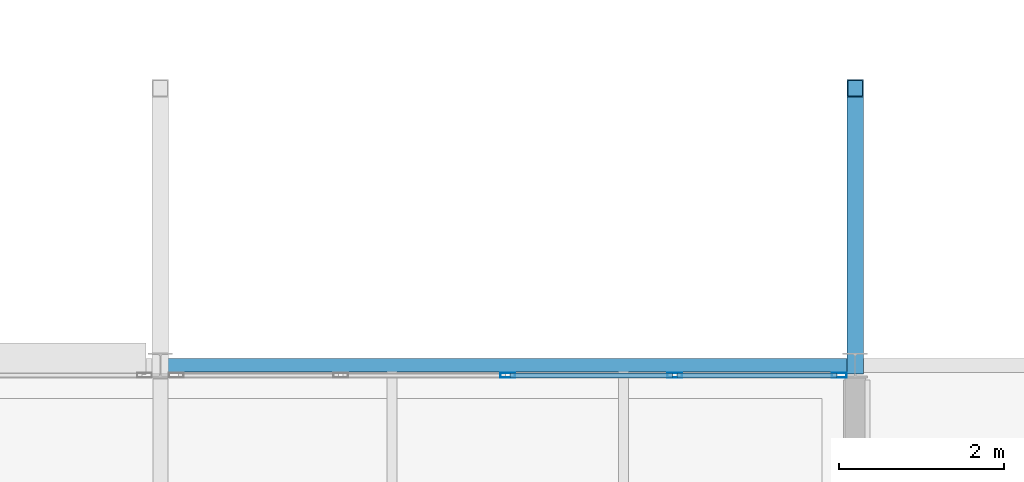
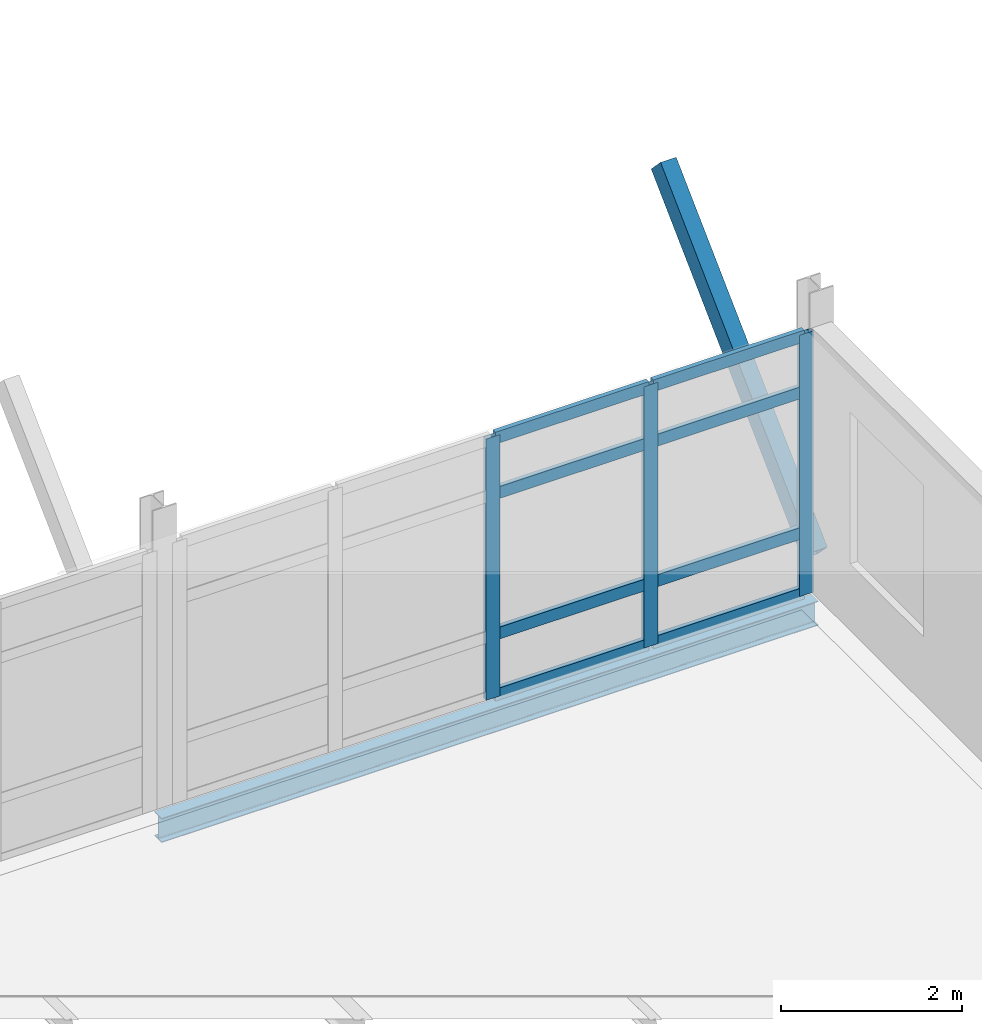
# One storey, part 28 of 131: 12 members, 1 beam, 1 element without a shape of its own.
"""IFC4 building model written with IfcOpenShell, lengths in metres."""

from ifc_helpers import new_model, si_unit, direction, frame, origin, origin_2d, place, context, subcontext, project, spatial, hollow_rectangle, i_section, extrude, material, material_profile, profile_set, type_object, element, aggregate, save


model = new_model("IFC4")

# Units and contexts
model_context = context("Model", 3, precision=1e-05, world=origin(), true_north=direction((0.0, 1.0)))
body_context = subcontext(model_context, "Body", "Model", "MODEL_VIEW")
ifc_project = project(units=[si_unit("LENGTHUNIT", "METRE"), si_unit("AREAUNIT", "SQUARE_METRE"), si_unit("VOLUMEUNIT", "CUBIC_METRE"), si_unit("PLANEANGLEUNIT", "RADIAN"), si_unit("MASSUNIT", "GRAM", prefix="KILO")], contexts=[model_context])

# Site, building, storey
site_placement = place(None, origin())
site = spatial("IfcSite", under=ifc_project, at=site_placement, CompositionType="ELEMENT")
building_placement = place(site_placement, origin())
building = spatial("IfcBuilding", under=site, at=building_placement, Name="Mersafa Astral City Hall", CompositionType="ELEMENT")
storey_placement = place(building_placement, frame((0.0, 0.0, 13.949951171875)))
storey = spatial("IfcBuildingStorey", under=building, at=storey_placement, Name="L03", CompositionType="ELEMENT", Elevation=13.949951171875)

# Curtain wall, members
ifc_material_1 = material(Name="Anodised bronze aluminium framing", Category="aluminium")
curtain_wall_type = type_object("IfcCurtainWallType", Name="ENV-CW-1", PredefinedType="USERDEFINED", material=ifc_material_1)
curtain_wall_placement = place(storey_placement, origin())
curtain_wall = element("IfcCurtainWall", 1, at=curtain_wall_placement, inside=storey, type_object=curtain_wall_type, Name="L03 Unitised solar curtain wall 150", ObjectType="UNITISED CURTAIN WALL", PredefinedType="USERDEFINED")
ifc_material_profile_1 = material_profile(ifc_material_1, hollow_rectangle(XDim=0.06005859375, YDim=0.179931640625, WallThickness=0.00390625, at=origin_2d()), Name="RHS 60x180x4")
ifc_profile_set_1 = profile_set([ifc_material_profile_1], Name="Anodised bronze aluminium framing")
member_type_1 = type_object("IfcMemberType", Name="ENV-CW-MUL-1", PredefinedType="MULLION", material=ifc_profile_set_1)
member_1_placement = place(storey_placement, frame((134.2080078125, 33.47998046875, -0.001953125), z_axis=(0.0, 0.0, 1.0), x_axis=(0.0, -1.0, 0.0)))
member_1 = element("IfcMember", 2, at=member_1_placement, type_object=member_type_1, Name="CW-1 mullion 1", PredefinedType="MULLION", context=body_context, shape_type="SweptSolid", body=[
    extrude(hollow_rectangle(XDim=0.06005859375, YDim=0.179931640625, WallThickness=0.00390625, at=origin_2d()), origin(), (0.0, 0.0, 1.0), 3.533935546875),
])
member_2_placement = place(storey_placement, frame((132.218994140625, 33.47998046875, -0.001953125), z_axis=(0.0, 0.0, 1.0), x_axis=(0.0, -1.0, 0.0)))
member_2 = element("IfcMember", 3, at=member_2_placement, type_object=member_type_1, Name="CW-1 mullion 2", PredefinedType="MULLION", context=body_context, shape_type="SweptSolid", body=[
    extrude(hollow_rectangle(XDim=0.06005859375, YDim=0.179931640625, WallThickness=0.00390625, at=origin_2d()), origin(), (0.0, 0.0, 1.0), 3.533935546875),
])
member_3_placement = place(storey_placement, frame((130.199951171875, 33.47998046875, -0.001953125), z_axis=(0.0, 0.0, 1.0), x_axis=(0.0, -1.0, 0.0)))
member_3 = element("IfcMember", 4, at=member_3_placement, type_object=member_type_1, Name="CW-1 mullion 3", PredefinedType="MULLION", context=body_context, shape_type="SweptSolid", body=[
    extrude(hollow_rectangle(XDim=0.06005859375, YDim=0.179931640625, WallThickness=0.00390625, at=origin_2d()), origin(), (0.0, 0.0, 1.0), 3.533935546875),
])
ifc_material_profile_2 = material_profile(ifc_material_1, hollow_rectangle(XDim=0.06005859375, YDim=0.159912109375, WallThickness=0.00390625, at=origin_2d()), Name="RHS 60x160x4")
ifc_profile_set_2 = profile_set([ifc_material_profile_2], Name="Anodised bronze aluminium framing")
member_type_2 = type_object("IfcMemberType", Name="ENV-CW-TRN-2", PredefinedType="USERDEFINED", material=ifc_profile_set_2)
member_4_placement = place(storey_placement, frame((134.177978515625, 33.47998046875, 0.028076171875), z_axis=(-1.0, 0.0, 0.0), x_axis=(0.0, -1.0, 0.0)))
member_4 = element("IfcMember", 5, at=member_4_placement, type_object=member_type_2, Name="CW-1 transom 1.1", ObjectType="TRANSOM", PredefinedType="USERDEFINED", context=body_context, shape_type="SweptSolid", body=[
    extrude(hollow_rectangle(XDim=0.06005859375, YDim=0.159912109375, WallThickness=0.00390625, at=origin_2d()), origin(), (0.0, 0.0, 1.0), 1.928955078125),
])
member_5_placement = place(storey_placement, frame((134.177978515625, 33.47998046875, 0.85009765625), z_axis=(-1.0, 0.0, 0.0), x_axis=(0.0, -1.0, 0.0)))
member_5 = element("IfcMember", 6, at=member_5_placement, type_object=member_type_2, Name="CW-1 transom 1.2", ObjectType="TRANSOM", PredefinedType="USERDEFINED", context=body_context, shape_type="SweptSolid", body=[
    extrude(hollow_rectangle(XDim=0.06005859375, YDim=0.159912109375, WallThickness=0.00390625, at=origin_2d()), origin(), (0.0, 0.0, 1.0), 1.928955078125),
])
member_6_placement = place(storey_placement, frame((134.177978515625, 33.47998046875, 2.75), z_axis=(-1.0, 0.0, 0.0), x_axis=(0.0, -1.0, 0.0)))
member_6 = element("IfcMember", 7, at=member_6_placement, type_object=member_type_2, Name="CW-1 transom 1.3", ObjectType="TRANSOM", PredefinedType="USERDEFINED", context=body_context, shape_type="SweptSolid", body=[
    extrude(hollow_rectangle(XDim=0.06005859375, YDim=0.159912109375, WallThickness=0.00390625, at=origin_2d()), origin(), (0.0, 0.0, 1.0), 1.928955078125),
])
member_7_placement = place(storey_placement, frame((134.177978515625, 33.47998046875, 3.501953125), z_axis=(-1.0, 0.0, 0.0), x_axis=(0.0, -1.0, 0.0)))
member_7 = element("IfcMember", 8, at=member_7_placement, type_object=member_type_2, Name="CW-1 transom 1.4", ObjectType="TRANSOM", PredefinedType="USERDEFINED", context=body_context, shape_type="SweptSolid", body=[
    extrude(hollow_rectangle(XDim=0.06005859375, YDim=0.159912109375, WallThickness=0.00390625, at=origin_2d()), origin(), (0.0, 0.0, 1.0), 1.928955078125),
])
member_8_placement = place(storey_placement, frame((132.18896484375, 33.47998046875, 0.028076171875), z_axis=(-1.0, 0.0, 0.0), x_axis=(0.0, -1.0, 0.0)))
member_8 = element("IfcMember", 9, at=member_8_placement, type_object=member_type_2, Name="CW-1 transom 2.1", ObjectType="TRANSOM", PredefinedType="USERDEFINED", context=body_context, shape_type="SweptSolid", body=[
    extrude(hollow_rectangle(XDim=0.06005859375, YDim=0.159912109375, WallThickness=0.00390625, at=origin_2d()), origin(), (0.0, 0.0, 1.0), 1.958984375),
])
member_9_placement = place(storey_placement, frame((132.18896484375, 33.47998046875, 0.85009765625), z_axis=(-1.0, 0.0, 0.0), x_axis=(0.0, -1.0, 0.0)))
member_9 = element("IfcMember", 10, at=member_9_placement, type_object=member_type_2, Name="CW-1 transom 2.2", ObjectType="TRANSOM", PredefinedType="USERDEFINED", context=body_context, shape_type="SweptSolid", body=[
    extrude(hollow_rectangle(XDim=0.06005859375, YDim=0.159912109375, WallThickness=0.00390625, at=origin_2d()), origin(), (0.0, 0.0, 1.0), 1.958984375),
])
member_10_placement = place(storey_placement, frame((132.18896484375, 33.47998046875, 2.75), z_axis=(-1.0, 0.0, 0.0), x_axis=(0.0, -1.0, 0.0)))
member_10 = element("IfcMember", 11, at=member_10_placement, type_object=member_type_2, Name="CW-1 transom 2.3", ObjectType="TRANSOM", PredefinedType="USERDEFINED", context=body_context, shape_type="SweptSolid", body=[
    extrude(hollow_rectangle(XDim=0.06005859375, YDim=0.159912109375, WallThickness=0.00390625, at=origin_2d()), origin(), (0.0, 0.0, 1.0), 1.958984375),
])
member_11_placement = place(storey_placement, frame((132.18896484375, 33.47998046875, 3.501953125), z_axis=(-1.0, 0.0, 0.0), x_axis=(0.0, -1.0, 0.0)))
member_11 = element("IfcMember", 12, at=member_11_placement, type_object=member_type_2, Name="CW-1 transom 2.4", ObjectType="TRANSOM", PredefinedType="USERDEFINED", context=body_context, shape_type="SweptSolid", body=[
    extrude(hollow_rectangle(XDim=0.06005859375, YDim=0.159912109375, WallThickness=0.00390625, at=origin_2d()), origin(), (0.0, 0.0, 1.0), 1.958984375),
])
aggregate(curtain_wall, [member_1, member_2, member_3, member_4, member_5, member_6, member_7, member_8, member_9, member_10, member_11])

# Beam
ifc_material_2 = material(Name="Steel S355", Category="steel")
ifc_material_profile_3 = material_profile(ifc_material_2, i_section(OverallWidth=0.159912109375, OverallDepth=0.330078125, WebThickness=0.007568359375, FlangeThickness=0.011474609375, FilletRadius=0.01806640625, at=origin_2d()), Name="IPE 330")
ifc_profile_set_3 = profile_set([ifc_material_profile_3], Name="Steel S355")
beam_type = type_object("IfcBeamType", Name="STR-BM-SPANDREL-IPE330", PredefinedType="SPANDREL", material=ifc_profile_set_3)
beam_placement = place(storey_placement, frame((126.0029296875, 33.60009765625, -0.364990234375), z_axis=(1.0, 0.0, 0.0), x_axis=(0.0, 1.0, 0.0)))
element("IfcBeam", 13, at=beam_placement, inside=storey, type_object=beam_type, Name="L03 Primary girder X 15-4", PredefinedType="SPANDREL", context=body_context, shape_type="SweptSolid", body=[
    extrude(i_section(OverallWidth=0.159912109375, OverallDepth=0.330078125, WebThickness=0.007568359375, FlangeThickness=0.011474609375, FilletRadius=0.01806640625, at=origin_2d()), origin(), (0.0, 0.0, 1.0), 8.39404296875),
])

# Member
ifc_material_profile_4 = material_profile(ifc_material_2, hollow_rectangle(XDim=0.199951171875, YDim=0.300048828125, WallThickness=0.012451171875, at=origin_2d()), Name="RHS 200x300x12.5")
ifc_profile_set_4 = profile_set([ifc_material_profile_4], Name="Steel S355")
member_type_3 = type_object("IfcMemberType", Name="STR-MBR-STRUT-RHS200X300", PredefinedType="BRACE", material=ifc_profile_set_4)
member_12_placement = place(storey_placement, frame((134.39990234375, 33.60009765625, 0.400146484375), z_axis=(0.0, 0.718795502172, 0.695221566163), x_axis=(-1.0, 0.0, 0.0)))
element("IfcMember", 14, at=member_12_placement, inside=storey, type_object=member_type_3, Name="L03 Raked cosmic eave strut ROOF-T2-V3 N-16", PredefinedType="BRACE", context=body_context, shape_type="SweptSolid", body=[
    extrude(hollow_rectangle(XDim=0.199951171875, YDim=0.300048828125, WallThickness=0.012451171875, at=origin_2d()), origin(), (0.0, 0.0, 1.0), 4.660400390625),
])

save(model, "model.ifc")
